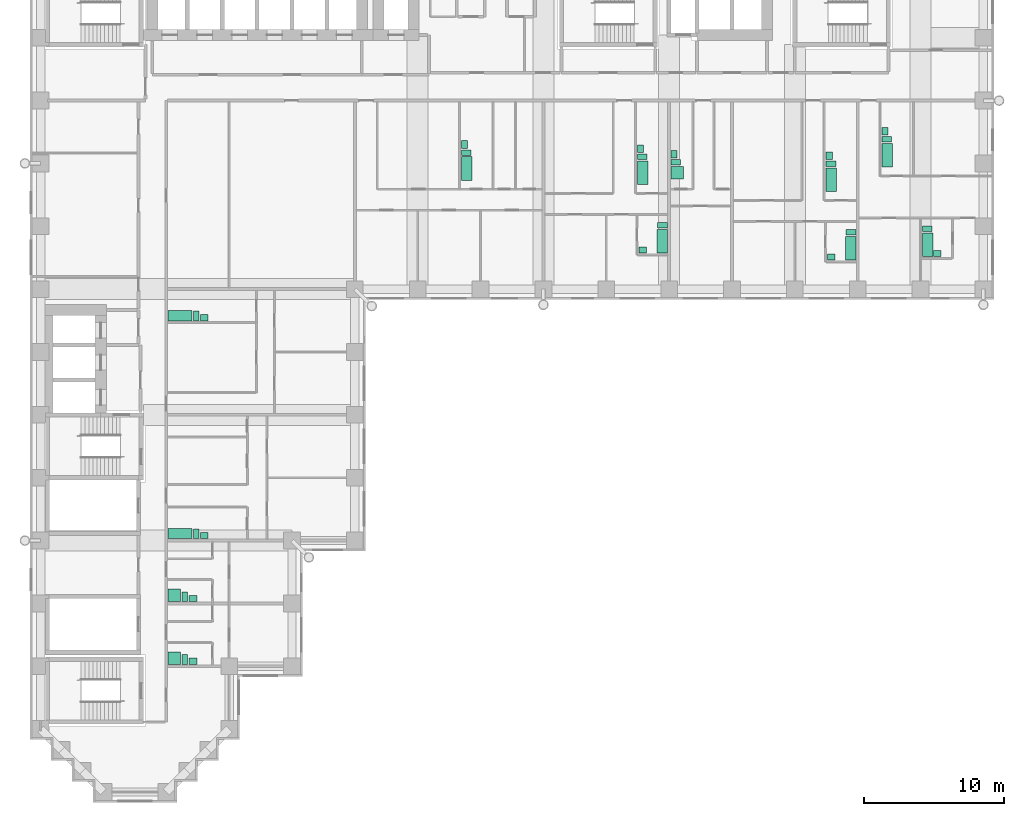
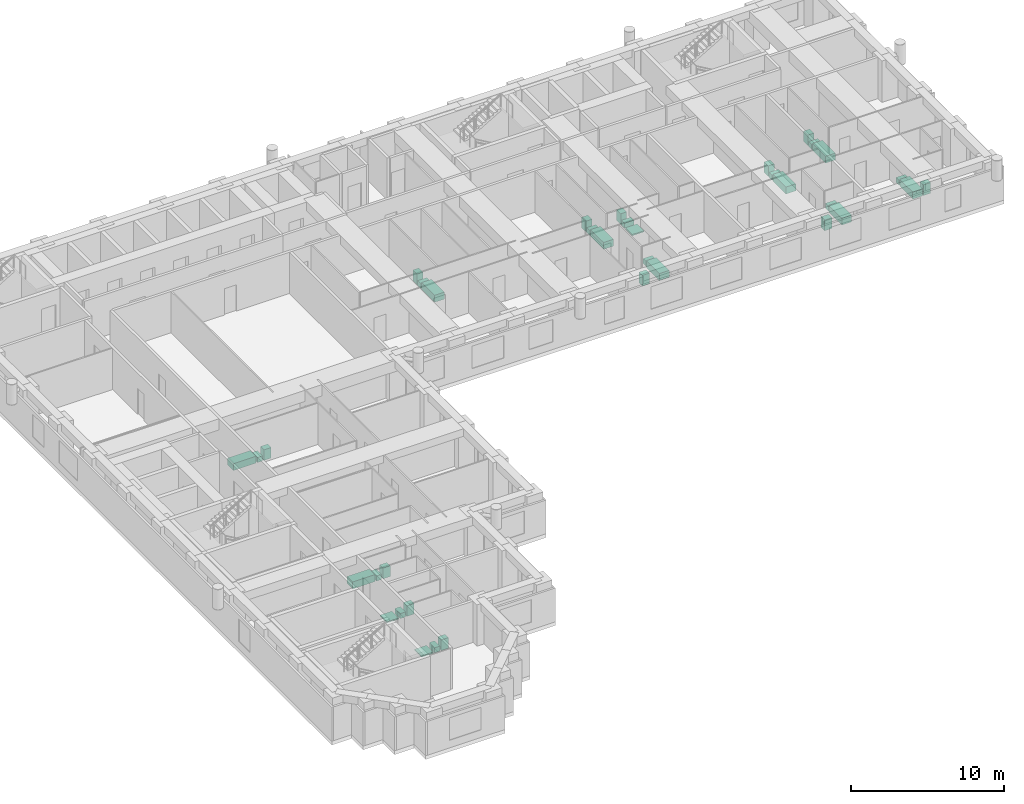
# One storey, part 14 of 14: 36 sanitary terminals.
"""IFC4 building model written with IfcOpenShell, lengths in metres."""

from ifc_helpers import new_model, si_unit, direction, frame, origin, origin_2d, place, context, subcontext, project, spatial, rectangle, extrude, material, type_object, element, save


model = new_model("IFC4")

# Units and contexts
model_context = context("Model", 3, precision=1e-05, world=origin(), true_north=direction((0.0, 1.0)))
body_context = subcontext(model_context, "Body", "Model", "MODEL_VIEW")
ifc_project = project(units=[si_unit("LENGTHUNIT", "METRE"), si_unit("AREAUNIT", "SQUARE_METRE"), si_unit("VOLUMEUNIT", "CUBIC_METRE"), si_unit("PLANEANGLEUNIT", "RADIAN"), si_unit("MASSUNIT", "GRAM", prefix="KILO")], contexts=[model_context])

# Site, building, storey
site_placement = place(None, origin())
site = spatial("IfcSite", under=ifc_project, at=site_placement, CompositionType="ELEMENT")
building_placement = place(site_placement, origin())
building = spatial("IfcBuilding", under=site, at=building_placement, Name="Firuza Court", CompositionType="ELEMENT")
storey_placement = place(building_placement, frame((0.0, 0.0, 68.60009765625)))
storey = spatial("IfcBuildingStorey", under=building, at=storey_placement, Name="L16", CompositionType="ELEMENT", Elevation=68.60009765625)

# Sanitary terminals
ifc_material_1 = material(Name="Vitreous china", Category="ceramic")
sanitary_terminal_type_1 = type_object("IfcSanitaryTerminalType", Name="Fixture Bath", PredefinedType="BATH", material=ifc_material_1)
for number, where, z_axis, x_axis, name in (
    (1, (30.5048828125, 44.6298828125, 0.0), (0.0, 0.0, 1.0), (1.0, 0.0, 0.0), "Bath"),
    (2, (43.10498046875, 44.330078125, 0.0), (0.0, 0.0, 1.0), (1.0, 0.0, 0.0), "Bath"),
    (3, (44.4951171875, 39.429931640625, 0.0), (0.0, 0.0, 1.0), (1.0, 0.0, 0.0), "Bath"),
    (4, (56.60498046875, 43.830078125, 0.0), (0.0, 0.0, 1.0), (1.0, 0.0, 0.0), "Bath"),
    (5, (57.9951171875, 38.929931640625, 0.0), (0.0, 0.0, 1.0), (1.0, 0.0, 0.0), "Bath"),
    (6, (60.60498046875, 45.580078125, 0.0), (0.0, 0.0, 1.0), (1.0, 0.0, 0.0), "Bath"),
    (7, (63.5048828125, 39.179931640625, 0.0), (0.0, 0.0, 1.0), (1.0, 0.0, 0.0), "Bath"),
):
    element("IfcSanitaryTerminal", number, at=place(storey_placement, frame(where, z_axis=z_axis, x_axis=x_axis)), inside=storey, type_object=sanitary_terminal_type_1, Name=name, PredefinedType="BATH", context=body_context, shape_type="SweptSolid", body=[
        extrude(rectangle(XDim=0.75, YDim=1.699951171875, at=origin_2d()), origin(), (0.0, 0.0, 1.0), 0.550048828125),
    ])
for number, where, z_axis, x_axis, name in (
    (8, (9.97998046875, 34.10498046875, 0.0), (0.0, 0.0, 1.0), (1.0, 0.0, 0.0), "Bath"),
    (9, (9.97998046875, 18.5048828125, 0.0), (0.0, 0.0, 1.0), (1.0, 0.0, 0.0), "Bath"),
):
    element("IfcSanitaryTerminal", number, at=place(storey_placement, frame(where, z_axis=z_axis, x_axis=x_axis)), inside=storey, type_object=sanitary_terminal_type_1, Name=name, PredefinedType="BATH", context=body_context, shape_type="SweptSolid", body=[
        extrude(rectangle(XDim=1.699951171875, YDim=0.75, at=origin_2d()), origin(), (0.0, 0.0, 1.0), 0.550048828125),
    ])
ifc_material_2 = material(Name="Vitreous china", Category="ceramic")
sanitary_terminal_type_2 = type_object("IfcSanitaryTerminalType", Name="Fixture Shower tray", PredefinedType="SHOWER", material=ifc_material_2)
for number, where, z_axis, x_axis, name in (
    (10, (45.580078125, 44.330078125, -0.000244140625), (0.0, 0.0, 1.0), (1.0, 0.0, 0.0), "Shower tray"),
    (11, (9.580078125, 14.080078125, -0.000244140625), (0.0, 0.0, 1.0), (1.0, 0.0, 0.0), "Shower tray"),
    (12, (9.580078125, 9.580078125, -0.000244140625), (0.0, 0.0, 1.0), (1.0, 0.0, 0.0), "Shower tray"),
):
    element("IfcSanitaryTerminal", number, at=place(storey_placement, frame(where, z_axis=z_axis, x_axis=x_axis)), inside=storey, type_object=sanitary_terminal_type_2, Name=name, PredefinedType="SHOWER", context=body_context, shape_type="SweptSolid", body=[
        extrude(rectangle(XDim=0.89990234375, YDim=0.89990234375, at=origin_2d()), origin(), (0.0, 0.0, 1.0), 0.10009765625),
    ])
ifc_material_3 = material(Name="Vitreous china", Category="ceramic")
sanitary_terminal_type_3 = type_object("IfcSanitaryTerminalType", Name="Fixture WC pan", PredefinedType="TOILETPAN", material=ifc_material_3)
for number, where, z_axis, x_axis, name in (
    (13, (30.47998046875, 45.780029296875, 0.0), (0.0, 0.0, 1.0), (1.0, 0.0, 0.0), "WC pan"),
    (14, (43.080078125, 45.47998046875, 0.0), (0.0, 0.0, 1.0), (1.0, 0.0, 0.0), "WC pan"),
    (15, (44.52001953125, 40.580078125, 0.0), (0.0, 0.0, 1.0), (1.0, 0.0, 0.0), "WC pan"),
    (16, (45.47998046875, 45.080078125, 0.0), (0.0, 0.0, 1.0), (1.0, 0.0, 0.0), "WC pan"),
    (17, (56.580078125, 44.97998046875, 0.0), (0.0, 0.0, 1.0), (1.0, 0.0, 0.0), "WC pan"),
    (18, (58.02001953125, 40.080078125, 0.0), (0.0, 0.0, 1.0), (1.0, 0.0, 0.0), "WC pan"),
    (19, (60.580078125, 46.72998046875, 0.0), (0.0, 0.0, 1.0), (1.0, 0.0, 0.0), "WC pan"),
    (20, (63.47998046875, 40.330078125, 0.0), (0.0, 0.0, 1.0), (1.0, 0.0, 0.0), "WC pan"),
):
    element("IfcSanitaryTerminal", number, at=place(storey_placement, frame(where, z_axis=z_axis, x_axis=x_axis)), inside=storey, type_object=sanitary_terminal_type_3, Name=name, PredefinedType="TOILETPAN", context=body_context, shape_type="SweptSolid", body=[
        extrude(rectangle(XDim=0.699951171875, YDim=0.39990234375, at=origin_2d()), origin(), (0.0, 0.0, 1.0), 0.39990234375),
    ])
for number, where, z_axis, x_axis, name in (
    (21, (11.1298828125, 34.080078125, 0.0), (0.0, 0.0, 1.0), (1.0, 0.0, 0.0), "WC pan"),
    (22, (11.1298828125, 18.47998046875, 0.0), (0.0, 0.0, 1.0), (1.0, 0.0, 0.0), "WC pan"),
    (23, (10.330078125, 13.97998046875, 0.0), (0.0, 0.0, 1.0), (1.0, 0.0, 0.0), "WC pan"),
    (24, (10.330078125, 9.47998046875, 0.0), (0.0, 0.0, 1.0), (1.0, 0.0, 0.0), "WC pan"),
):
    element("IfcSanitaryTerminal", number, at=place(storey_placement, frame(where, z_axis=z_axis, x_axis=x_axis)), inside=storey, type_object=sanitary_terminal_type_3, Name=name, PredefinedType="TOILETPAN", context=body_context, shape_type="SweptSolid", body=[
        extrude(rectangle(XDim=0.39990234375, YDim=0.699951171875, at=origin_2d()), origin(), (0.0, 0.0, 1.0), 0.39990234375),
    ])
ifc_material_4 = material(Name="Vitreous china", Category="ceramic")
sanitary_terminal_type_4 = type_object("IfcSanitaryTerminalType", Name="Fixture Washbasin", PredefinedType="WASHHANDBASIN", material=ifc_material_4)
for number, where, z_axis, x_axis, name in (
    (25, (30.35498046875, 46.35498046875, -0.000244140625), (0.0, 0.0, 1.0), (1.0, 0.0, 0.0), "Washbasin"),
    (26, (42.955078125, 46.054931640625, -0.000244140625), (0.0, 0.0, 1.0), (1.0, 0.0, 0.0), "Washbasin"),
):
    element("IfcSanitaryTerminal", number, at=place(storey_placement, frame(where, z_axis=z_axis, x_axis=x_axis)), inside=storey, type_object=sanitary_terminal_type_4, Name=name, PredefinedType="WASHHANDBASIN", context=body_context, shape_type="SweptSolid", body=[
        extrude(rectangle(XDim=0.449951171875, YDim=0.550048828125, at=origin_2d()), origin(), (0.0, 0.0, 1.0), 0.85009765625),
    ])
sanitary_terminal_1_placement = place(storey_placement, frame((43.10498046875, 38.804931640625, -0.000244140625), z_axis=(0.0, 0.0, 1.0), x_axis=(1.0, 0.0, 0.0)))
element("IfcSanitaryTerminal", 27, at=sanitary_terminal_1_placement, inside=storey, type_object=sanitary_terminal_type_4, Name="Washbasin", PredefinedType="WASHHANDBASIN", context=body_context, shape_type="SweptSolid", body=[
    extrude(rectangle(XDim=0.550048828125, YDim=0.449951171875, at=origin_2d()), origin(), (0.0, 0.0, 1.0), 0.85009765625),
])
for number, where, z_axis, x_axis, name in (
    (28, (45.35498046875, 45.655029296875, -0.000244140625), (0.0, 0.0, 1.0), (1.0, 0.0, 0.0), "Washbasin"),
    (29, (56.455078125, 45.554931640625, -0.000244140625), (0.0, 0.0, 1.0), (1.0, 0.0, 0.0), "Washbasin"),
):
    element("IfcSanitaryTerminal", number, at=place(storey_placement, frame(where, z_axis=z_axis, x_axis=x_axis)), inside=storey, type_object=sanitary_terminal_type_4, Name=name, PredefinedType="WASHHANDBASIN", context=body_context, shape_type="SweptSolid", body=[
        extrude(rectangle(XDim=0.449951171875, YDim=0.550048828125, at=origin_2d()), origin(), (0.0, 0.0, 1.0), 0.85009765625),
    ])
sanitary_terminal_2_placement = place(storey_placement, frame((56.60498046875, 38.304931640625, -0.000244140625), z_axis=(0.0, 0.0, 1.0), x_axis=(1.0, 0.0, 0.0)))
element("IfcSanitaryTerminal", 30, at=sanitary_terminal_2_placement, inside=storey, type_object=sanitary_terminal_type_4, Name="Washbasin", PredefinedType="WASHHANDBASIN", context=body_context, shape_type="SweptSolid", body=[
    extrude(rectangle(XDim=0.550048828125, YDim=0.449951171875, at=origin_2d()), origin(), (0.0, 0.0, 1.0), 0.85009765625),
])
sanitary_terminal_3_placement = place(storey_placement, frame((60.455078125, 47.304931640625, -0.000244140625), z_axis=(0.0, 0.0, 1.0), x_axis=(1.0, 0.0, 0.0)))
element("IfcSanitaryTerminal", 31, at=sanitary_terminal_3_placement, inside=storey, type_object=sanitary_terminal_type_4, Name="Washbasin", PredefinedType="WASHHANDBASIN", context=body_context, shape_type="SweptSolid", body=[
    extrude(rectangle(XDim=0.449951171875, YDim=0.550048828125, at=origin_2d()), origin(), (0.0, 0.0, 1.0), 0.85009765625),
])
for number, where, z_axis, x_axis, name in (
    (32, (64.205078125, 38.554931640625, -0.000244140625), (0.0, 0.0, 1.0), (1.0, 0.0, 0.0), "Washbasin"),
    (33, (11.705078125, 33.955078125, -0.000244140625), (0.0, 0.0, 1.0), (1.0, 0.0, 0.0), "Washbasin"),
    (34, (11.705078125, 18.35498046875, -0.000244140625), (0.0, 0.0, 1.0), (1.0, 0.0, 0.0), "Washbasin"),
    (35, (10.905029296875, 13.85498046875, -0.000244140625), (0.0, 0.0, 1.0), (1.0, 0.0, 0.0), "Washbasin"),
    (36, (10.905029296875, 9.35498046875, -0.000244140625), (0.0, 0.0, 1.0), (1.0, 0.0, 0.0), "Washbasin"),
):
    element("IfcSanitaryTerminal", number, at=place(storey_placement, frame(where, z_axis=z_axis, x_axis=x_axis)), inside=storey, type_object=sanitary_terminal_type_4, Name=name, PredefinedType="WASHHANDBASIN", context=body_context, shape_type="SweptSolid", body=[
        extrude(rectangle(XDim=0.550048828125, YDim=0.449951171875, at=origin_2d()), origin(), (0.0, 0.0, 1.0), 0.85009765625),
    ])

save(model, "model.ifc")
